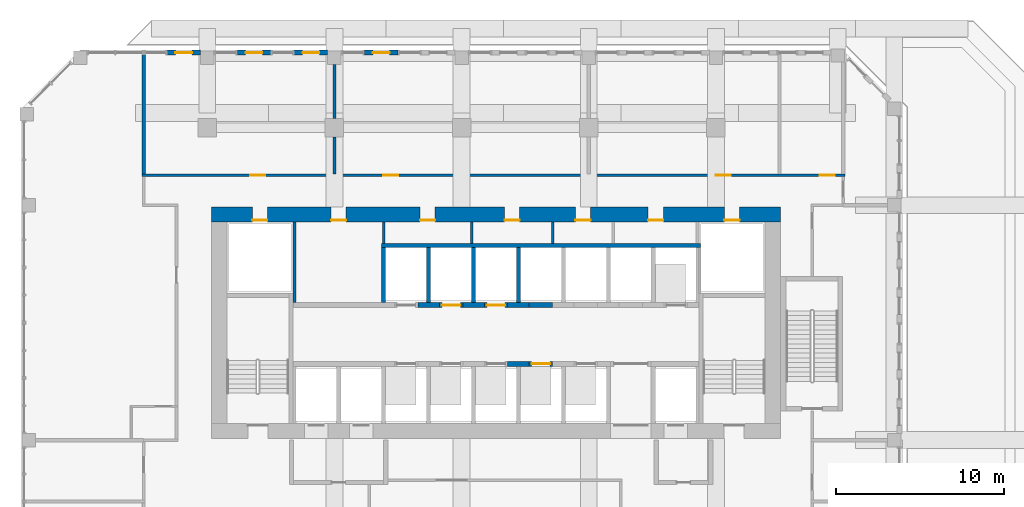
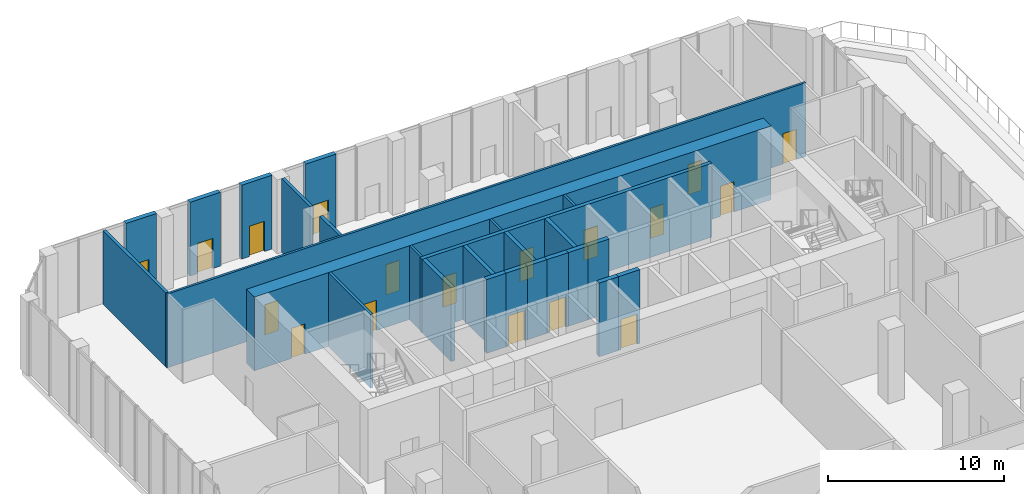
# One storey, part 13 of 19: 26 walls, 18 doors, 18 openings.
"""IFC4 building model written with IfcOpenShell, lengths in metres."""

from ifc_helpers import new_model, si_unit, direction, frame, frame_2d, origin, place, context, subcontext, project, spatial, rectangle, extrude, source, transform, mapped, material, layer, layer_set, type_object, element, fill, save


model = new_model("IFC4")

# Units and contexts
model_context = context("Model", 3, precision=1e-05, world=origin(), true_north=direction((0.0, 1.0)))
body_context = subcontext(model_context, "Body", "Model", "MODEL_VIEW")
ifc_project = project(units=[si_unit("LENGTHUNIT", "METRE"), si_unit("AREAUNIT", "SQUARE_METRE"), si_unit("VOLUMEUNIT", "CUBIC_METRE"), si_unit("PLANEANGLEUNIT", "RADIAN"), si_unit("MASSUNIT", "GRAM", prefix="KILO")], contexts=[model_context])

# Site, building, storey
site_placement = place(None, origin())
site = spatial("IfcSite", under=ifc_project, at=site_placement, CompositionType="ELEMENT")
building_placement = place(site_placement, origin())
building = spatial("IfcBuilding", under=site, at=building_placement, Name="Kilnfold Tower and Market Hall", CompositionType="ELEMENT")
storey_placement = place(building_placement, frame((0.0, 0.0, 138.5)))
storey = spatial("IfcBuildingStorey", under=building, at=storey_placement, Name="L31", CompositionType="ELEMENT", Elevation=138.5)

# Wall, openings, doors
ifc_material_1 = material(Name="Gypsum board on steel studs", Category="steel")
ifc_layer_1 = layer(ifc_material_1, 0.14990234375)
ifc_layer_set_1 = layer_set([ifc_layer_1], Name="Gypsum board on steel studs")
wall_type_1 = type_object("IfcWallType", Name="WALL CORRIDOR 150", PredefinedType="PARTITIONING", material=ifc_layer_set_1)
wall_1_placement = place(storey_placement, frame((-20.05908203125, 23.800048828125, 0.0), z_axis=(0.0, 0.0, 1.0), x_axis=(1.0, 0.0, 0.0)))
wall_1 = element("IfcWall", 1, at=wall_1_placement, inside=storey, type_object=wall_type_1, Name="Partition LY20.20", PredefinedType="PARTITIONING", context=body_context, shape_type="SweptSolid", body=[
    extrude(rectangle(XDim=41.9091796875, YDim=0.14990234375, at=frame_2d((20.95458984375, 0.0))), origin(), (0.0, 0.0, 1.0), 5.1201171875),
])
opening_1_placement = place(wall_1_placement, frame((6.452880859375, 0.0, 0.0)))
opening_1 = element("IfcOpeningElement", 2, at=opening_1_placement, cuts=wall_1, Name="Opening D2", PredefinedType="OPENING", context=body_context, shape_type="SweptSolid", body=[
    extrude(rectangle(XDim=0.89990234375, YDim=2.10009765625, at=frame_2d((0.449951171875, 1.050048828125))), frame((0.0, 0.0849609375, 0.0), z_axis=(0.0, -1.0, 0.0), x_axis=(1.0, 0.0, 0.0)), (0.0, 0.0, 1.0), 0.169921875),
])
opening_2_placement = place(wall_1_placement, frame((14.383056640625, 0.0, 0.0)))
opening_2 = element("IfcOpeningElement", 3, at=opening_2_placement, cuts=wall_1, Name="Opening D2", PredefinedType="OPENING", context=body_context, shape_type="SweptSolid", body=[
    extrude(rectangle(XDim=0.89990234375, YDim=2.10009765625, at=frame_2d((0.449951171875, 1.050048828125))), frame((0.0, 0.0849609375, 0.0), z_axis=(0.0, -1.0, 0.0), x_axis=(1.0, 0.0, 0.0)), (0.0, 0.0, 1.0), 0.169921875),
])
opening_3_placement = place(wall_1_placement, frame((34.201904296875, 0.0, 0.0)))
opening_3 = element("IfcOpeningElement", 4, at=opening_3_placement, cuts=wall_1, Name="Opening D2", PredefinedType="OPENING", context=body_context, shape_type="SweptSolid", body=[
    extrude(rectangle(XDim=0.89990234375, YDim=2.10009765625, at=frame_2d((0.449951171875, 1.050048828125))), frame((0.0, 0.0849609375, 0.0), z_axis=(0.0, -1.0, 0.0), x_axis=(1.0, 0.0, 0.0)), (0.0, 0.0, 1.0), 0.169921875),
])
opening_4_placement = place(wall_1_placement, frame((40.408935546875, 0.0, 0.0)))
opening_4 = element("IfcOpeningElement", 5, at=opening_4_placement, cuts=wall_1, Name="Opening D2", PredefinedType="OPENING", context=body_context, shape_type="SweptSolid", body=[
    extrude(rectangle(XDim=0.89990234375, YDim=2.10009765625, at=frame_2d((0.449951171875, 1.050048828125))), frame((0.0, 0.0849609375, 0.0), z_axis=(0.0, -1.0, 0.0), x_axis=(1.0, 0.0, 0.0)), (0.0, 0.0, 1.0), 0.169921875),
])
ifc_material_2 = material(Name="Timber veneer door leaf in steel frame", Category="steel")
door_type_1 = type_object("IfcDoorType", Name="DOOR ROOM 900 X2100", OperationType="NOTDEFINED", PredefinedType="DOOR", material=ifc_material_2)
door_1_placement = place(opening_1_placement, origin())
door_1 = element("IfcDoor", 6, at=door_1_placement, inside=storey, type_object=door_type_1, Name="Door D2", OperationType="SINGLE_SWING_RIGHT", OverallHeight=2.10009765625, OverallWidth=0.89990234375, PredefinedType="DOOR", context=body_context, shape_type="SweptSolid", body=[
    extrude(rectangle(XDim=0.89990234375, YDim=2.10009765625, at=frame_2d((0.449951171875, 1.050048828125))), frame((0.0, 0.02490234375, 0.0), z_axis=(0.0, -1.0, 0.0), x_axis=(1.0, 0.0, 0.0)), (0.0, 0.0, 1.0), 0.050048828125),
])
fill(opening_1, door_1)
door_2_placement = place(opening_2_placement, origin())
door_2 = element("IfcDoor", 7, at=door_2_placement, inside=storey, type_object=door_type_1, Name="Door D2", OperationType="SINGLE_SWING_RIGHT", OverallHeight=2.10009765625, OverallWidth=0.89990234375, PredefinedType="DOOR", context=body_context, shape_type="SweptSolid", body=[
    extrude(rectangle(XDim=0.89990234375, YDim=2.10009765625, at=frame_2d((0.449951171875, 1.050048828125))), frame((0.0, 0.02490234375, 0.0), z_axis=(0.0, -1.0, 0.0), x_axis=(1.0, 0.0, 0.0)), (0.0, 0.0, 1.0), 0.050048828125),
])
fill(opening_2, door_2)
door_3_placement = place(opening_3_placement, origin())
door_3 = element("IfcDoor", 8, at=door_3_placement, inside=storey, type_object=door_type_1, Name="Door D2", OperationType="SINGLE_SWING_RIGHT", OverallHeight=2.10009765625, OverallWidth=0.89990234375, PredefinedType="DOOR", context=body_context, shape_type="SweptSolid", body=[
    extrude(rectangle(XDim=0.89990234375, YDim=2.10009765625, at=frame_2d((0.449951171875, 1.050048828125))), frame((0.0, 0.02490234375, 0.0), z_axis=(0.0, -1.0, 0.0), x_axis=(1.0, 0.0, 0.0)), (0.0, 0.0, 1.0), 0.050048828125),
])
fill(opening_3, door_3)
door_4_placement = place(opening_4_placement, origin())
door_4 = element("IfcDoor", 9, at=door_4_placement, inside=storey, type_object=door_type_1, Name="Door D2", OperationType="SINGLE_SWING_LEFT", OverallHeight=2.10009765625, OverallWidth=0.89990234375, PredefinedType="DOOR", context=body_context, shape_type="SweptSolid", body=[
    extrude(rectangle(XDim=0.89990234375, YDim=2.10009765625, at=frame_2d((0.449951171875, 1.050048828125))), frame((0.0, 0.02490234375, 0.0), z_axis=(0.0, -1.0, 0.0), x_axis=(1.0, 0.0, 0.0)), (0.0, 0.0, 1.0), 0.050048828125),
])
fill(opening_4, door_4)

# Walls
ifc_material_3 = material(Name="Gypsum board on steel studs", Category="steel")
ifc_layer_2 = layer(ifc_material_3, 0.199951171875)
ifc_layer_set_2 = layer_set([ifc_layer_2], Name="Gypsum board on steel studs")
wall_type_2 = type_object("IfcWallType", Name="WALL PARTY 200", PredefinedType="PARTITIONING", material=ifc_layer_set_2)
wall_2_placement = place(storey_placement, frame((-19.958984375, 23.876953125, 0.0), z_axis=(0.0, 0.0, 1.0), x_axis=(0.0, 1.0, 0.0)))
element("IfcWall", 10, at=wall_2_placement, inside=storey, type_object=wall_type_2, Name="Partition LY20.60", PredefinedType="PARTITIONING", context=body_context, shape_type="SweptSolid", body=[
    extrude(rectangle(XDim=7.123046875, YDim=0.199951171875, at=frame_2d((3.5615234375, 0.0))), origin(), (0.0, 0.0, 1.0), 5.1201171875),
])
wall_3_placement = place(storey_placement, frame((-8.5830078125, 23.876953125, 0.0), z_axis=(0.0, 0.0, 1.0), x_axis=(0.0, 1.0, 0.0)))
element("IfcWall", 11, at=wall_3_placement, inside=storey, type_object=wall_type_2, Name="Partition LY20.61", PredefinedType="PARTITIONING", context=body_context, shape_type="SweptSolid", body=[
    extrude(rectangle(XDim=2.197998046875, YDim=0.199951171875, at=frame_2d((1.09912109375, 0.0))), origin(), (0.0, 0.0, 1.0), 5.1201171875),
])
wall_4_placement = place(storey_placement, frame((-8.5830078125, 27.175048828125, 0.0), z_axis=(0.0, 0.0, 1.0), x_axis=(0.0, 1.0, 0.0)))
element("IfcWall", 12, at=wall_4_placement, inside=storey, type_object=wall_type_2, Name="Partition LY20.62", PredefinedType="PARTITIONING", context=body_context, shape_type="SweptSolid", body=[
    extrude(rectangle(XDim=3.224853515625, YDim=0.199951171875, at=frame_2d((1.6123046875, 0.0))), origin(), (0.0, 0.0, 1.0), 5.1201171875),
])

# Wall, openings, doors
ifc_material_4 = material(Name="Concrete C70", Category="concrete")
ifc_layer_3 = layer(ifc_material_4, 0.89990234375)
ifc_layer_set_3 = layer_set([ifc_layer_3], Name="Concrete C70")
wall_type_3 = type_object("IfcWallType", Name="CORE WALL 900 C70", PredefinedType="SHEAR", material=ifc_layer_set_3)
shared_shape_1 = source(origin(), body_context, "Body", "SweptSolid", [
    extrude(rectangle(XDim=33.89990234375, YDim=0.89990234375, at=frame_2d((16.949951171875, 0.0))), origin(), (0.0, 0.0, 1.0), 5.1201171875),
])
wall_5_placement = place(storey_placement, frame((-15.89990234375, 21.449951171875, 0.0), z_axis=(0.0, 0.0, 1.0), x_axis=(1.0, 0.0, 0.0)))
wall_5 = element("IfcWall", 13, at=wall_5_placement, inside=storey, type_object=wall_type_3, Name="Core outer wall north", PredefinedType="SHEAR", context=body_context, shape_type="MappedRepresentation", body=[
    mapped(shared_shape_1, transform((0.0, 0.0, 0.0))),
])
opening_5_placement = place(wall_5_placement, frame((7.1201171875, 0.0, 0.0)))
opening_5 = element("IfcOpeningElement", 14, at=opening_5_placement, cuts=wall_5, Name="Opening KD1", PredefinedType="OPENING", context=body_context, shape_type="SweptSolid", body=[
    extrude(rectangle(XDim=0.89990234375, YDim=2.10009765625, at=frame_2d((0.449951171875, 1.050048828125))), frame((0.0, 0.4599609375, 0.0), z_axis=(0.0, -1.0, 0.0), x_axis=(1.0, 0.0, 0.0)), (0.0, 0.0, 1.0), 0.919921875),
])
opening_6_placement = place(wall_5_placement, frame((12.426513671875, 0.0, 0.0)))
opening_6 = element("IfcOpeningElement", 15, at=opening_6_placement, cuts=wall_5, Name="Opening KD1", PredefinedType="OPENING", context=body_context, shape_type="SweptSolid", body=[
    extrude(rectangle(XDim=0.89990234375, YDim=2.10009765625, at=frame_2d((0.449951171875, 1.050048828125))), frame((0.0, 0.4599609375, 0.0), z_axis=(0.0, -1.0, 0.0), x_axis=(1.0, 0.0, 0.0)), (0.0, 0.0, 1.0), 0.919921875),
])
opening_7_placement = place(wall_5_placement, frame((17.46484375, 0.0, 0.0)))
opening_7 = element("IfcOpeningElement", 16, at=opening_7_placement, cuts=wall_5, Name="Opening KD1", PredefinedType="OPENING", context=body_context, shape_type="SweptSolid", body=[
    extrude(rectangle(XDim=0.89990234375, YDim=2.10009765625, at=frame_2d((0.449951171875, 1.050048828125))), frame((0.0, 0.4599609375, 0.0), z_axis=(0.0, -1.0, 0.0), x_axis=(1.0, 0.0, 0.0)), (0.0, 0.0, 1.0), 0.919921875),
])
opening_8_placement = place(wall_5_placement, frame((21.685791015625, 0.0, 0.0)))
opening_8 = element("IfcOpeningElement", 17, at=opening_8_placement, cuts=wall_5, Name="Opening KD1", PredefinedType="OPENING", context=body_context, shape_type="SweptSolid", body=[
    extrude(rectangle(XDim=0.89990234375, YDim=2.10009765625, at=frame_2d((0.449951171875, 1.050048828125))), frame((0.0, 0.4599609375, 0.0), z_axis=(0.0, -1.0, 0.0), x_axis=(1.0, 0.0, 0.0)), (0.0, 0.0, 1.0), 0.919921875),
])
opening_9_placement = place(wall_5_placement, frame((26.02734375, 0.0, 0.0)))
opening_9 = element("IfcOpeningElement", 18, at=opening_9_placement, cuts=wall_5, Name="Opening KD1", PredefinedType="OPENING", context=body_context, shape_type="SweptSolid", body=[
    extrude(rectangle(XDim=0.89990234375, YDim=2.10009765625, at=frame_2d((0.449951171875, 1.050048828125))), frame((0.0, 0.4599609375, 0.0), z_axis=(0.0, -1.0, 0.0), x_axis=(1.0, 0.0, 0.0)), (0.0, 0.0, 1.0), 0.919921875),
])
opening_10_placement = place(wall_5_placement, frame((2.425048828125, 0.0, 0.0)))
opening_10 = element("IfcOpeningElement", 19, at=opening_10_placement, cuts=wall_5, Name="Opening KD1", PredefinedType="OPENING", context=body_context, shape_type="SweptSolid", body=[
    extrude(rectangle(XDim=0.89990234375, YDim=2.10009765625, at=frame_2d((0.449951171875, 1.050048828125))), frame((0.0, 0.4599609375, 0.0), z_axis=(0.0, -1.0, 0.0), x_axis=(1.0, 0.0, 0.0)), (0.0, 0.0, 1.0), 0.919921875),
])
opening_11_placement = place(wall_5_placement, frame((30.574951171875, 0.0, 0.0)))
opening_11 = element("IfcOpeningElement", 20, at=opening_11_placement, cuts=wall_5, Name="Opening KD1", PredefinedType="OPENING", context=body_context, shape_type="SweptSolid", body=[
    extrude(rectangle(XDim=0.89990234375, YDim=2.10009765625, at=frame_2d((0.449951171875, 1.050048828125))), frame((0.0, 0.4599609375, 0.0), z_axis=(0.0, -1.0, 0.0), x_axis=(1.0, 0.0, 0.0)), (0.0, 0.0, 1.0), 0.919921875),
])
ifc_material_5 = material(Name="Steel door set with fire-resisting leaf", Category="steel")
door_type_2 = type_object("IfcDoorType", Name="SERVICE DOOR 900X2100", OperationType="NOTDEFINED", PredefinedType="DOOR", material=ifc_material_5)
door_5_placement = place(opening_5_placement, origin())
door_5 = element("IfcDoor", 21, at=door_5_placement, inside=storey, type_object=door_type_2, Name="Core service door", OperationType="SINGLE_SWING_LEFT", OverallHeight=2.10009765625, OverallWidth=0.89990234375, PredefinedType="DOOR", context=body_context, shape_type="SweptSolid", body=[
    extrude(rectangle(XDim=0.89990234375, YDim=2.10009765625, at=frame_2d((0.449951171875, 1.050048828125))), frame((0.0, -0.30517578125, 0.0), z_axis=(0.0, -1.0, 0.0), x_axis=(1.0, 0.0, 0.0)), (0.0, 0.0, 1.0), 0.050048828125),
])
fill(opening_5, door_5)
door_6_placement = place(opening_6_placement, origin())
door_6 = element("IfcDoor", 22, at=door_6_placement, inside=storey, type_object=door_type_2, Name="Core service door", OperationType="SINGLE_SWING_RIGHT", OverallHeight=2.10009765625, OverallWidth=0.89990234375, PredefinedType="DOOR", context=body_context, shape_type="SweptSolid", body=[
    extrude(rectangle(XDim=0.89990234375, YDim=2.10009765625, at=frame_2d((0.449951171875, 1.050048828125))), frame((0.0, -0.30517578125, 0.0), z_axis=(0.0, -1.0, 0.0), x_axis=(1.0, 0.0, 0.0)), (0.0, 0.0, 1.0), 0.050048828125),
])
fill(opening_6, door_6)
door_7_placement = place(opening_7_placement, origin())
door_7 = element("IfcDoor", 23, at=door_7_placement, inside=storey, type_object=door_type_2, Name="Core service door", OperationType="SINGLE_SWING_LEFT", OverallHeight=2.10009765625, OverallWidth=0.89990234375, PredefinedType="DOOR", context=body_context, shape_type="SweptSolid", body=[
    extrude(rectangle(XDim=0.89990234375, YDim=2.10009765625, at=frame_2d((0.449951171875, 1.050048828125))), frame((0.0, -0.30517578125, 0.0), z_axis=(0.0, -1.0, 0.0), x_axis=(1.0, 0.0, 0.0)), (0.0, 0.0, 1.0), 0.050048828125),
])
fill(opening_7, door_7)
door_8_placement = place(opening_8_placement, origin())
door_8 = element("IfcDoor", 24, at=door_8_placement, inside=storey, type_object=door_type_2, Name="Core service door", OperationType="SINGLE_SWING_RIGHT", OverallHeight=2.10009765625, OverallWidth=0.89990234375, PredefinedType="DOOR", context=body_context, shape_type="SweptSolid", body=[
    extrude(rectangle(XDim=0.89990234375, YDim=2.10009765625, at=frame_2d((0.449951171875, 1.050048828125))), frame((0.0, -0.30517578125, 0.0), z_axis=(0.0, -1.0, 0.0), x_axis=(1.0, 0.0, 0.0)), (0.0, 0.0, 1.0), 0.050048828125),
])
fill(opening_8, door_8)
door_9_placement = place(opening_9_placement, origin())
door_9 = element("IfcDoor", 25, at=door_9_placement, inside=storey, type_object=door_type_2, Name="Core service door", OperationType="SINGLE_SWING_LEFT", OverallHeight=2.10009765625, OverallWidth=0.89990234375, PredefinedType="DOOR", context=body_context, shape_type="SweptSolid", body=[
    extrude(rectangle(XDim=0.89990234375, YDim=2.10009765625, at=frame_2d((0.449951171875, 1.050048828125))), frame((0.0, -0.30517578125, 0.0), z_axis=(0.0, -1.0, 0.0), x_axis=(1.0, 0.0, 0.0)), (0.0, 0.0, 1.0), 0.050048828125),
])
fill(opening_9, door_9)
door_10_placement = place(opening_10_placement, origin())
door_10 = element("IfcDoor", 26, at=door_10_placement, inside=storey, type_object=door_type_2, Name="Electrical riser access door", OperationType="SINGLE_SWING_RIGHT", OverallHeight=2.10009765625, OverallWidth=0.89990234375, PredefinedType="DOOR", context=body_context, shape_type="SweptSolid", body=[
    extrude(rectangle(XDim=0.89990234375, YDim=2.10009765625, at=frame_2d((0.449951171875, 1.050048828125))), frame((0.0, -0.30517578125, 0.0), z_axis=(0.0, -1.0, 0.0), x_axis=(1.0, 0.0, 0.0)), (0.0, 0.0, 1.0), 0.050048828125),
])
fill(opening_10, door_10)
door_11_placement = place(opening_11_placement, origin())
door_11 = element("IfcDoor", 27, at=door_11_placement, inside=storey, type_object=door_type_2, Name="Mechanical riser access door", OperationType="SINGLE_SWING_LEFT", OverallHeight=2.10009765625, OverallWidth=0.89990234375, PredefinedType="DOOR", context=body_context, shape_type="SweptSolid", body=[
    extrude(rectangle(XDim=0.89990234375, YDim=2.10009765625, at=frame_2d((0.449951171875, 1.050048828125))), frame((0.0, -0.30517578125, 0.0), z_axis=(0.0, -1.0, 0.0), x_axis=(1.0, 0.0, 0.0)), (0.0, 0.0, 1.0), 0.050048828125),
])
fill(opening_11, door_11)

# Walls
ifc_material_6 = material(Name="Concrete C70", Category="concrete")
ifc_layer_4 = layer(ifc_material_6, 0.300048828125)
ifc_layer_set_4 = layer_set([ifc_layer_4], Name="Concrete C70")
wall_type_4 = type_object("IfcWallType", Name="CORE WALL 300 C70", PredefinedType="SHEAR", material=ifc_layer_set_4)
shared_shape_2 = source(origin(), body_context, "Body", "SweptSolid", [
    extrude(rectangle(XDim=1.280029296875, YDim=0.300048828125, at=frame_2d((0.64013671875, 0.0))), origin(), (0.0, 0.0, 1.0), 5.1201171875),
])
for number, where, z_axis, x_axis, name in (
    (28, (1.75, 12.550048828125, 0.0), (0.0, 0.0, 1.0), (1.0, 0.0, 0.0), "Core spine wall"),
    (29, (-3.610107421875, 16.050048828125, 0.0), (0.0, 0.0, 1.0), (1.0, 0.0, 0.0), "Core spine wall"),
    (30, (-0.929931640625, 16.050048828125, 0.0), (0.0, 0.0, 1.0), (1.0, 0.0, 0.0), "Core spine wall"),
    (31, (1.75, 16.050048828125, 0.0), (0.0, 0.0, 1.0), (1.0, 0.0, 0.0), "Core spine wall"),
):
    element("IfcWall", number, at=place(storey_placement, frame(where, z_axis=z_axis, x_axis=x_axis)), inside=storey, type_object=wall_type_4, Name=name, PredefinedType="SHEAR", context=body_context, shape_type="MappedRepresentation", body=[
        mapped(shared_shape_2, transform((0.0, 0.0, 0.0))),
    ])

# Wall, opening, door
ifc_material_7 = material(Name="Precast concrete C50/60", Category="concrete")
ifc_layer_5 = layer(ifc_material_7, 0.300048828125)
ifc_layer_set_5 = layer_set([ifc_layer_5], Name="Precast concrete C50/60")
wall_type_5 = type_object("IfcWallType", Name="PRECAST WALL 300", PredefinedType="SOLIDWALL", material=ifc_layer_set_5)
shared_shape_3 = source(origin(), body_context, "Body", "SweptSolid", [
    extrude(rectangle(XDim=2.0, YDim=0.300048828125, at=frame_2d((1.0, 0.0))), origin(), (0.0, 0.0, 1.0), 5.1201171875),
])
wall_6_placement = place(storey_placement, frame((-4.79150390625, 31.10009765625, 0.0), z_axis=(0.0, 0.0, 1.0), x_axis=(-1.0, 0.0, 0.0)))
wall_6 = element("IfcWall", 32, at=wall_6_placement, inside=storey, type_object=wall_type_5, Name="External wall L31 N", PredefinedType="SOLIDWALL", context=body_context, shape_type="MappedRepresentation", body=[
    mapped(shared_shape_3, transform((0.0, 0.0, 0.0))),
])
opening_12_placement = place(wall_6_placement, frame((0.5, 0.0, 0.0)))
opening_12 = element("IfcOpeningElement", 33, at=opening_12_placement, cuts=wall_6, Name="Opening BD1", PredefinedType="OPENING", context=body_context, shape_type="SweptSolid", body=[
    extrude(rectangle(XDim=1.0, YDim=2.10009765625, at=frame_2d((0.5, 1.050048828125))), frame((0.0, 0.16015625, 0.0), z_axis=(0.0, -1.0, 0.0), x_axis=(1.0, 0.0, 0.0)), (0.0, 0.0, 1.0), 0.320068359375),
])
ifc_material_8 = material(Name="Aluminium frame and double glazing", Category="aluminium")
door_type_3 = type_object("IfcDoorType", Name="BALCONY DOOR 1000X2100", OperationType="NOTDEFINED", PredefinedType="DOOR", material=ifc_material_8)
door_12_placement = place(opening_12_placement, origin())
door_12 = element("IfcDoor", 34, at=door_12_placement, inside=storey, type_object=door_type_3, Name="Balcony door BD1 L31 N-2", OperationType="SINGLE_SWING_RIGHT", OverallHeight=2.10009765625, OverallWidth=1.0, PredefinedType="DOOR", context=body_context, shape_type="SweptSolid", body=[
    extrude(rectangle(XDim=1.0, YDim=2.10009765625, at=frame_2d((0.5, 1.050048828125))), frame((0.0, 0.02490234375, 0.0), z_axis=(0.0, -1.0, 0.0), x_axis=(1.0, 0.0, 0.0)), (0.0, 0.0, 1.0), 0.050048828125),
])
fill(opening_12, door_12)

wall_7_placement = place(storey_placement, frame((-8.9833984375, 31.10009765625, 0.0), z_axis=(0.0, 0.0, 1.0), x_axis=(-1.0, 0.0, 0.0)))
wall_7 = element("IfcWall", 35, at=wall_7_placement, inside=storey, type_object=wall_type_5, Name="External wall L31 N", PredefinedType="SOLIDWALL", context=body_context, shape_type="MappedRepresentation", body=[
    mapped(shared_shape_3, transform((0.0, 0.0, 0.0))),
])
opening_13_placement = place(wall_7_placement, frame((0.5, 0.0, 0.0)))
opening_13 = element("IfcOpeningElement", 36, at=opening_13_placement, cuts=wall_7, Name="Opening BD1", PredefinedType="OPENING", context=body_context, shape_type="SweptSolid", body=[
    extrude(rectangle(XDim=1.0, YDim=2.10009765625, at=frame_2d((0.5, 1.050048828125))), frame((0.0, 0.16015625, 0.0), z_axis=(0.0, -1.0, 0.0), x_axis=(1.0, 0.0, 0.0)), (0.0, 0.0, 1.0), 0.320068359375),
])
door_13_placement = place(opening_13_placement, origin())
door_13 = element("IfcDoor", 37, at=door_13_placement, inside=storey, type_object=door_type_3, Name="Balcony door BD1 L31 N-1", OperationType="SINGLE_SWING_LEFT", OverallHeight=2.10009765625, OverallWidth=1.0, PredefinedType="DOOR", context=body_context, shape_type="SweptSolid", body=[
    extrude(rectangle(XDim=1.0, YDim=2.10009765625, at=frame_2d((0.5, 1.050048828125))), frame((0.0, 0.02490234375, 0.0), z_axis=(0.0, -1.0, 0.0), x_axis=(1.0, 0.0, 0.0)), (0.0, 0.0, 1.0), 0.050048828125),
])
fill(opening_13, door_13)

wall_8_placement = place(storey_placement, frame((-12.375, 31.10009765625, 0.0), z_axis=(0.0, 0.0, 1.0), x_axis=(-1.0, 0.0, 0.0)))
wall_8 = element("IfcWall", 38, at=wall_8_placement, inside=storey, type_object=wall_type_5, Name="External wall L31 N", PredefinedType="SOLIDWALL", context=body_context, shape_type="MappedRepresentation", body=[
    mapped(shared_shape_3, transform((0.0, 0.0, 0.0))),
])
opening_14_placement = place(wall_8_placement, frame((0.5, 0.0, 0.0)))
opening_14 = element("IfcOpeningElement", 39, at=opening_14_placement, cuts=wall_8, Name="Opening BD1", PredefinedType="OPENING", context=body_context, shape_type="SweptSolid", body=[
    extrude(rectangle(XDim=1.0, YDim=2.10009765625, at=frame_2d((0.5, 1.050048828125))), frame((0.0, 0.16015625, 0.0), z_axis=(0.0, -1.0, 0.0), x_axis=(1.0, 0.0, 0.0)), (0.0, 0.0, 1.0), 0.320068359375),
])
door_14_placement = place(opening_14_placement, origin())
door_14 = element("IfcDoor", 40, at=door_14_placement, inside=storey, type_object=door_type_3, Name="Balcony door BD1 L31 N-2", OperationType="SINGLE_SWING_RIGHT", OverallHeight=2.10009765625, OverallWidth=1.0, PredefinedType="DOOR", context=body_context, shape_type="SweptSolid", body=[
    extrude(rectangle(XDim=1.0, YDim=2.10009765625, at=frame_2d((0.5, 1.050048828125))), frame((0.0, 0.02490234375, 0.0), z_axis=(0.0, -1.0, 0.0), x_axis=(1.0, 0.0, 0.0)), (0.0, 0.0, 1.0), 0.050048828125),
])
fill(opening_14, door_14)

wall_9_placement = place(storey_placement, frame((-16.566650390625, 31.10009765625, 0.0), z_axis=(0.0, 0.0, 1.0), x_axis=(-1.0, 0.0, 0.0)))
wall_9 = element("IfcWall", 41, at=wall_9_placement, inside=storey, type_object=wall_type_5, Name="External wall L31 N", PredefinedType="SOLIDWALL", context=body_context, shape_type="MappedRepresentation", body=[
    mapped(shared_shape_3, transform((0.0, 0.0, 0.0))),
])
opening_15_placement = place(wall_9_placement, frame((0.5, 0.0, 0.0)))
opening_15 = element("IfcOpeningElement", 42, at=opening_15_placement, cuts=wall_9, Name="Opening BD1", PredefinedType="OPENING", context=body_context, shape_type="SweptSolid", body=[
    extrude(rectangle(XDim=1.0, YDim=2.10009765625, at=frame_2d((0.5, 1.050048828125))), frame((0.0, 0.16015625, 0.0), z_axis=(0.0, -1.0, 0.0), x_axis=(1.0, 0.0, 0.0)), (0.0, 0.0, 1.0), 0.320068359375),
])
door_15_placement = place(opening_15_placement, origin())
door_15 = element("IfcDoor", 43, at=door_15_placement, inside=storey, type_object=door_type_3, Name="Balcony door BD1 L31 N-1", OperationType="SINGLE_SWING_LEFT", OverallHeight=2.10009765625, OverallWidth=1.0, PredefinedType="DOOR", context=body_context, shape_type="SweptSolid", body=[
    extrude(rectangle(XDim=1.0, YDim=2.10009765625, at=frame_2d((0.5, 1.050048828125))), frame((0.0, 0.02490234375, 0.0), z_axis=(0.0, -1.0, 0.0), x_axis=(1.0, 0.0, 0.0)), (0.0, 0.0, 1.0), 0.050048828125),
])
fill(opening_15, door_15)

ifc_material_9 = material(Name="Gypsum shaft wall system")
ifc_layer_6 = layer(ifc_material_9, 0.300048828125)
ifc_layer_set_6 = layer_set([ifc_layer_6], Name="Gypsum shaft wall system")
wall_type_6 = type_object("IfcWallType", Name="SHAFT WALL 300", PredefinedType="PARTITIONING", material=ifc_layer_set_6)
shared_shape_4 = source(origin(), body_context, "Body", "SweptSolid", [
    extrude(rectangle(XDim=1.39990234375, YDim=0.300048828125, at=frame_2d((0.699951171875, 0.0))), origin(), (0.0, 0.0, 1.0), 5.1201171875),
])
wall_10_placement = place(storey_placement, frame((3.030029296875, 12.550048828125, 0.0), z_axis=(0.0, 0.0, 1.0), x_axis=(1.0, 0.0, 0.0)))
wall_10 = element("IfcWall", 44, at=wall_10_placement, inside=storey, type_object=wall_type_6, Name="Lift shaft front wall", PredefinedType="PARTITIONING", context=body_context, shape_type="MappedRepresentation", body=[
    mapped(shared_shape_4, transform((0.0, 0.0, 0.0))),
])
opening_16_placement = place(wall_10_placement, frame((0.14990234375, 0.0, 0.0)))
opening_16 = element("IfcOpeningElement", 45, at=opening_16_placement, cuts=wall_10, Name="Opening LD2", PredefinedType="OPENING", context=body_context, shape_type="SweptSolid", body=[
    extrude(rectangle(XDim=1.10009765625, YDim=2.10009765625, at=frame_2d((0.550048828125, 1.050048828125))), frame((0.0, 0.16015625, 0.0), z_axis=(0.0, -1.0, 0.0), x_axis=(1.0, 0.0, 0.0)), (0.0, 0.0, 1.0), 0.320068359375),
])
ifc_material_10 = material(Name="Steel door set with fire-resisting leaf", Category="steel")
door_type_4 = type_object("IfcDoorType", Name="LANDING DOOR 1100X2100", OperationType="NOTDEFINED", PredefinedType="DOOR", material=ifc_material_10)
door_16_placement = place(opening_16_placement, origin())
door_16 = element("IfcDoor", 46, at=door_16_placement, inside=storey, type_object=door_type_4, Name="Landing door MR4", OperationType="DOUBLE_DOOR_SLIDING", OverallHeight=2.10009765625, OverallWidth=1.10009765625, PredefinedType="DOOR", context=body_context, shape_type="SweptSolid", body=[
    extrude(rectangle(XDim=1.10009765625, YDim=2.10009765625, at=frame_2d((0.550048828125, 1.050048828125))), frame((0.0, 0.02490234375, 0.0), z_axis=(0.0, -1.0, 0.0), x_axis=(1.0, 0.0, 0.0)), (0.0, 0.0, 1.0), 0.050048828125),
])
fill(opening_16, door_16)

wall_11_placement = place(storey_placement, frame((0.35009765625, 16.050048828125, 0.0), z_axis=(0.0, 0.0, 1.0), x_axis=(1.0, 0.0, 0.0)))
wall_11 = element("IfcWall", 47, at=wall_11_placement, inside=storey, type_object=wall_type_6, Name="Lift shaft front wall", PredefinedType="PARTITIONING", context=body_context, shape_type="MappedRepresentation", body=[
    mapped(shared_shape_4, transform((0.0, 0.0, 0.0))),
])
opening_17_placement = place(wall_11_placement, frame((0.14990234375, 0.0, 0.0)))
opening_17 = element("IfcOpeningElement", 48, at=opening_17_placement, cuts=wall_11, Name="Opening LD2", PredefinedType="OPENING", context=body_context, shape_type="SweptSolid", body=[
    extrude(rectangle(XDim=1.10009765625, YDim=2.10009765625, at=frame_2d((0.550048828125, 1.050048828125))), frame((0.0, 0.16015625, 0.0), z_axis=(0.0, -1.0, 0.0), x_axis=(1.0, 0.0, 0.0)), (0.0, 0.0, 1.0), 0.320068359375),
])
door_17_placement = place(opening_17_placement, origin())
door_17 = element("IfcDoor", 49, at=door_17_placement, inside=storey, type_object=door_type_4, Name="Landing door SH3", OperationType="DOUBLE_DOOR_SLIDING", OverallHeight=2.10009765625, OverallWidth=1.10009765625, PredefinedType="DOOR", context=body_context, shape_type="SweptSolid", body=[
    extrude(rectangle(XDim=1.10009765625, YDim=2.10009765625, at=frame_2d((0.550048828125, 1.050048828125))), frame((0.0, 0.02490234375, 0.0), z_axis=(0.0, -1.0, 0.0), x_axis=(1.0, 0.0, 0.0)), (0.0, 0.0, 1.0), 0.050048828125),
])
fill(opening_17, door_17)

# Wall
wall_12_placement = place(storey_placement, frame((3.030029296875, 16.050048828125, 0.0), z_axis=(0.0, 0.0, 1.0), x_axis=(1.0, 0.0, 0.0)))
element("IfcWall", 50, at=wall_12_placement, inside=storey, type_object=wall_type_6, Name="Lift shaft front wall", PredefinedType="PARTITIONING", context=body_context, shape_type="MappedRepresentation", body=[
    mapped(shared_shape_4, transform((0.0, 0.0, 0.0))),
])

# Wall, opening, door
shared_shape_5 = source(origin(), body_context, "Body", "SweptSolid", [
    extrude(rectangle(XDim=1.400146484375, YDim=0.300048828125, at=frame_2d((0.7001953125, 0.0))), origin(), (0.0, 0.0, 1.0), 5.1201171875),
])
wall_13_placement = place(storey_placement, frame((-2.330078125, 16.050048828125, 0.0), z_axis=(0.0, 0.0, 1.0), x_axis=(1.0, 0.0, 0.0)))
wall_13 = element("IfcWall", 51, at=wall_13_placement, inside=storey, type_object=wall_type_6, Name="Lift shaft front wall", PredefinedType="PARTITIONING", context=body_context, shape_type="MappedRepresentation", body=[
    mapped(shared_shape_5, transform((0.0, 0.0, 0.0))),
])
opening_18_placement = place(wall_13_placement, frame((0.14990234375, 0.0, 0.0)))
opening_18 = element("IfcOpeningElement", 52, at=opening_18_placement, cuts=wall_13, Name="Opening LD2", PredefinedType="OPENING", context=body_context, shape_type="SweptSolid", body=[
    extrude(rectangle(XDim=1.10009765625, YDim=2.10009765625, at=frame_2d((0.550048828125, 1.050048828125))), frame((0.0, 0.16015625, 0.0), z_axis=(0.0, -1.0, 0.0), x_axis=(1.0, 0.0, 0.0)), (0.0, 0.0, 1.0), 0.320068359375),
])
door_18_placement = place(opening_18_placement, origin())
door_18 = element("IfcDoor", 53, at=door_18_placement, inside=storey, type_object=door_type_4, Name="Landing door SH2", OperationType="DOUBLE_DOOR_SLIDING", OverallHeight=2.10009765625, OverallWidth=1.10009765625, PredefinedType="DOOR", context=body_context, shape_type="SweptSolid", body=[
    extrude(rectangle(XDim=1.10009765625, YDim=2.10009765625, at=frame_2d((0.550048828125, 1.050048828125))), frame((0.0, 0.02490234375, 0.0), z_axis=(0.0, -1.0, 0.0), x_axis=(1.0, 0.0, 0.0)), (0.0, 0.0, 1.0), 0.050048828125),
])
fill(opening_18, door_18)

# Walls
ifc_material_11 = material(Name="Gypsum shaft wall system")
ifc_layer_7 = layer(ifc_material_11, 0.25)
ifc_layer_set_7 = layer_set([ifc_layer_7], Name="Gypsum shaft wall system")
wall_type_7 = type_object("IfcWallType", Name="SHAFT WALL 250", PredefinedType="PARTITIONING", material=ifc_layer_set_7)
shared_shape_6 = source(origin(), body_context, "Body", "SweptSolid", [
    extrude(rectangle(XDim=19.010009765625, YDim=0.25, at=frame_2d((9.5048828125, 0.0))), origin(), (0.0, 0.0, 1.0), 5.1201171875),
])
wall_14_placement = place(storey_placement, frame((-5.77490234375, 19.60009765625, 0.0), z_axis=(0.0, 0.0, 1.0), x_axis=(1.0, 0.0, 0.0)))
element("IfcWall", 54, at=wall_14_placement, inside=storey, type_object=wall_type_7, Name="Lift shaft wall", PredefinedType="PARTITIONING", context=body_context, shape_type="MappedRepresentation", body=[
    mapped(shared_shape_6, transform((0.0, 0.0, 0.0))),
])
ifc_material_12 = material(Name="Gypsum shaft wall system")
ifc_layer_8 = layer(ifc_material_12, 0.1650390625)
ifc_layer_set_8 = layer_set([ifc_layer_8], Name="Gypsum shaft wall system")
wall_type_8 = type_object("IfcWallType", Name="SHAFT WALL 165", PredefinedType="PARTITIONING", material=ifc_layer_set_8)
shared_shape_7 = source(origin(), body_context, "Body", "SweptSolid", [
    extrude(rectangle(XDim=4.800048828125, YDim=0.1650390625, at=frame_2d((2.39990234375, 0.0))), origin(), (0.0, 0.0, 1.0), 5.1201171875),
])
wall_15_placement = place(storey_placement, frame((-10.967529296875, 16.199951171875, 0.0), z_axis=(0.0, 0.0, 1.0), x_axis=(0.0, 1.0, 0.0)))
element("IfcWall", 55, at=wall_15_placement, inside=storey, type_object=wall_type_8, Name="Lift shaft wall", PredefinedType="PARTITIONING", context=body_context, shape_type="MappedRepresentation", body=[
    mapped(shared_shape_7, transform((0.0, 0.0, 0.0))),
])
shared_shape_8 = source(origin(), body_context, "Body", "SweptSolid", [
    extrude(rectangle(XDim=3.275146484375, YDim=0.25, at=frame_2d((1.6376953125, 0.0))), origin(), (0.0, 0.0, 1.0), 5.1201171875),
])
for number, where, z_axis, x_axis, name in (
    (56, (2.389892578125, 16.199951171875, 0.0), (0.0, 0.0, 1.0), (0.0, 1.0, 0.0), "Lift shaft wall"),
    (57, (-0.2900390625, 16.199951171875, 0.0), (0.0, 0.0, 1.0), (0.0, 1.0, 0.0), "Lift shaft wall"),
    (58, (-2.969970703125, 16.199951171875, 0.0), (0.0, 0.0, 1.0), (0.0, 1.0, 0.0), "Lift shaft wall"),
    (59, (-5.64990234375, 16.199951171875, 0.0), (0.0, 0.0, 1.0), (0.0, 1.0, 0.0), "Lift shaft wall"),
):
    element("IfcWall", number, at=place(storey_placement, frame(where, z_axis=z_axis, x_axis=x_axis)), inside=storey, type_object=wall_type_7, Name=name, PredefinedType="PARTITIONING", context=body_context, shape_type="MappedRepresentation", body=[
        mapped(shared_shape_8, transform((0.0, 0.0, 0.0))),
    ])
ifc_material_13 = material(Name="Gypsum shaft wall system")
ifc_layer_9 = layer(ifc_material_13, 0.14990234375)
ifc_layer_set_9 = layer_set([ifc_layer_9], Name="Gypsum shaft wall system")
wall_type_9 = type_object("IfcWallType", Name="ROOM WALL 150", PredefinedType="PARTITIONING", material=ifc_layer_set_9)
shared_shape_9 = source(origin(), body_context, "Body", "SweptSolid", [
    extrude(rectangle(XDim=1.27490234375, YDim=0.14990234375, at=frame_2d((0.637451171875, 0.0))), origin(), (0.0, 0.0, 1.0), 5.1201171875),
])
for number, where, z_axis, x_axis, name in (
    (60, (-5.64990234375, 19.72509765625, 0.0), (0.0, 0.0, 1.0), (0.0, 1.0, 0.0), "Core room wall"),
    (61, (-0.397216796875, 19.72509765625, 0.0), (0.0, 0.0, 1.0), (0.0, 1.0, 0.0), "Core room wall"),
    (62, (4.4267578125, 19.72509765625, 0.0), (0.0, 0.0, 1.0), (0.0, 1.0, 0.0), "Core room wall"),
):
    element("IfcWall", number, at=place(storey_placement, frame(where, z_axis=z_axis, x_axis=x_axis)), inside=storey, type_object=wall_type_9, Name=name, PredefinedType="PARTITIONING", context=body_context, shape_type="MappedRepresentation", body=[
        mapped(shared_shape_9, transform((0.0, 0.0, 0.0))),
    ])

save(model, "model.ifc")
